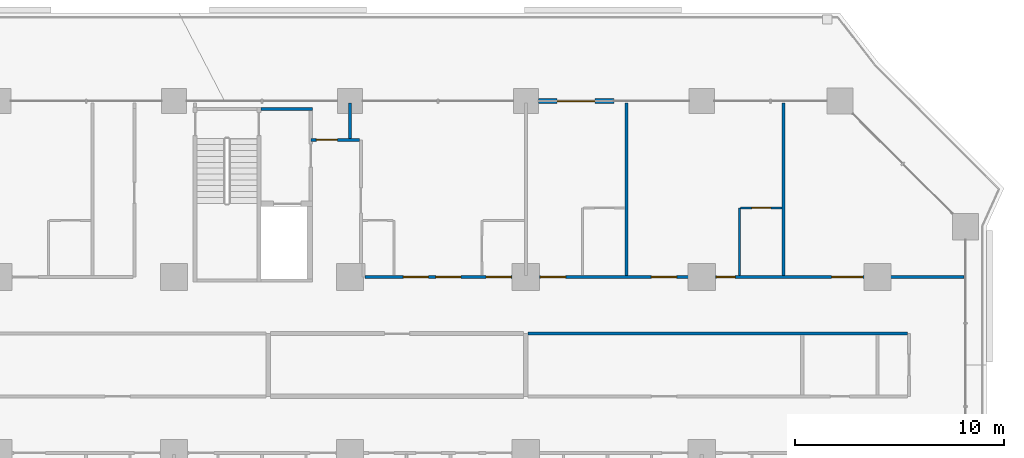
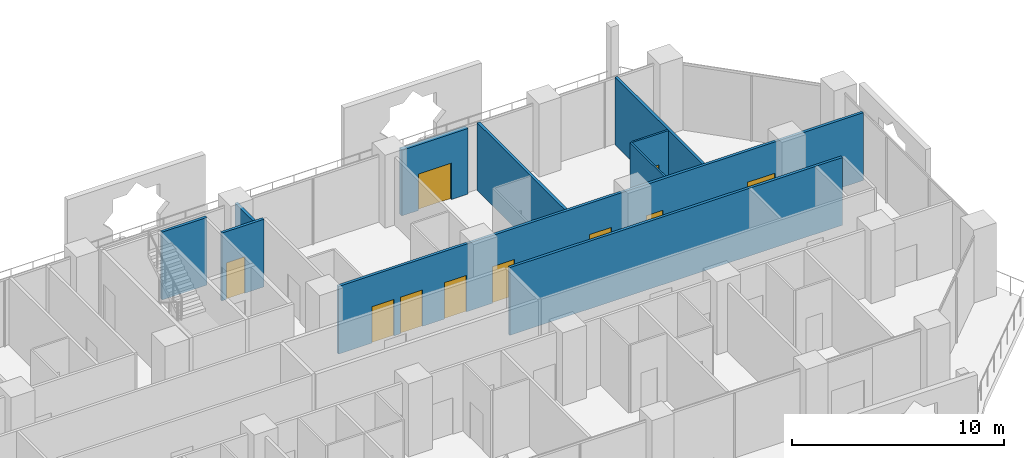
# One storey, part 19 of 26: 10 doors, 10 walls, 10 openings.
"""IFC4 building model written with IfcOpenShell, lengths in metres."""

from ifc_helpers import new_model, si_unit, direction, frame, frame_2d, origin, place, context, subcontext, project, spatial, rectangle, extrude, material, layer, layer_set, type_object, element, fill, save


model = new_model("IFC4")

# Units and contexts
model_context = context("Model", 3, precision=1e-05, world=origin(), true_north=direction((0.0, 1.0)))
body_context = subcontext(model_context, "Body", "Model", "MODEL_VIEW")
ifc_project = project(units=[si_unit("LENGTHUNIT", "METRE"), si_unit("AREAUNIT", "SQUARE_METRE"), si_unit("VOLUMEUNIT", "CUBIC_METRE"), si_unit("PLANEANGLEUNIT", "RADIAN"), si_unit("MASSUNIT", "GRAM", prefix="KILO")], contexts=[model_context])

# Site, building, storey
site_placement = place(None, origin())
site = spatial("IfcSite", under=ifc_project, at=site_placement, CompositionType="ELEMENT")
building_placement = place(site_placement, origin())
building = spatial("IfcBuilding", under=site, at=building_placement, Name="Kawkab Arch Medical Tower", CompositionType="ELEMENT")
storey_placement = place(building_placement, frame((0.0, 0.0, 51.800048828125)))
storey = spatial("IfcBuildingStorey", under=building, at=storey_placement, Name="L11", CompositionType="ELEMENT", Elevation=51.800048828125)

# Wall, opening, door
ifc_material_1 = material(Name="Bronze clad insulated wall panel")
ifc_layer_1 = layer(ifc_material_1, 0.25)
ifc_layer_set_1 = layer_set([ifc_layer_1], Name="Bronze clad insulated wall panel")
wall_type_1 = type_object("IfcWallType", Name="External wall bay 250", PredefinedType="SOLIDWALL", material=ifc_layer_set_1)
wall_1_placement = place(storey_placement, frame((63.0, 0.0, 0.0), z_axis=(0.0, 0.0, 1.0), x_axis=(-1.0, 0.0, 0.0)))
wall_1 = element("IfcWall", 1, at=wall_1_placement, inside=storey, type_object=wall_type_1, Name="External wall bay L11.R11.2.2", PredefinedType="SOLIDWALL", context=body_context, shape_type="SweptSolid", body=[
    extrude(rectangle(XDim=3.60009765625, YDim=0.25, at=frame_2d((1.800048828125, 0.0))), origin(), (0.0, 0.0, 1.0), 3.780029296875),
])
opening_1_placement = place(wall_1_placement, frame((0.89990234375, 0.0, 0.0)))
opening_1 = element("IfcOpeningElement", 2, at=opening_1_placement, cuts=wall_1, Name="Opening W11-701", PredefinedType="OPENING", context=body_context, shape_type="SweptSolid", body=[
    extrude(rectangle(XDim=1.800048828125, YDim=2.10009765625, at=frame_2d((0.89990234375, 1.050048828125))), frame((0.0, 0.135009765625, 0.0), z_axis=(0.0, -1.0, 0.0), x_axis=(1.0, 0.0, 0.0)), (0.0, 0.0, 1.0), 0.27001953125),
])
ifc_material_2 = material(Name="Bronze anodised aluminium door with tinted glass", Category="aluminium")
door_type_1 = type_object("IfcDoorType", Name="Double external door 1800 x 2100", OperationType="DOUBLE_DOOR_SINGLE_SWING", PredefinedType="DOOR", material=ifc_material_2)
door_1_placement = place(opening_1_placement, origin())
door_1 = element("IfcDoor", 3, at=door_1_placement, inside=storey, type_object=door_type_1, Name="External door L11.R11.2.2", OperationType="DOUBLE_DOOR_SINGLE_SWING", OverallHeight=2.10009765625, OverallWidth=1.800048828125, PredefinedType="DOOR", context=body_context, shape_type="SweptSolid", body=[
    extrude(rectangle(XDim=1.800048828125, YDim=2.10009765625, at=frame_2d((0.89990234375, 1.050048828125))), frame((0.0, 0.02490234375, 0.0), z_axis=(0.0, -1.0, 0.0), x_axis=(1.0, 0.0, 0.0)), (0.0, 0.0, 1.0), 0.050048828125),
])
fill(opening_1, door_1)

ifc_material_3 = material(Name="Gypsum board partition on steel studs", Category="steel")
ifc_layer_2 = layer(ifc_material_3, 0.10009765625)
ifc_layer_set_2 = layer_set([ifc_layer_2], Name="Gypsum board partition on steel studs")
wall_type_2 = type_object("IfcWallType", Name="Partition 100", PredefinedType="PARTITIONING", material=ifc_layer_set_2)
wall_2_placement = place(storey_placement, frame((69.052001953125, -5.10009765625, 0.0), z_axis=(0.0, 0.0, 1.0), x_axis=(1.0, 0.0, 0.0)))
wall_2 = element("IfcWall", 4, at=wall_2_placement, inside=storey, type_object=wall_type_2, Name="Partition 100 w020", PredefinedType="PARTITIONING", context=body_context, shape_type="SweptSolid", body=[
    extrude(rectangle(XDim=1.972900390625, YDim=0.10009765625, at=frame_2d((0.986328125, 0.0))), origin(), (0.0, 0.0, 1.0), 3.89990234375),
])
opening_2_placement = place(wall_2_placement, frame((0.549072265625, 0.0, 0.0)))
opening_2 = element("IfcOpeningElement", 5, at=opening_2_placement, cuts=wall_2, Name="Opening W11-009", PredefinedType="OPENING", context=body_context, shape_type="SweptSolid", body=[
    extrude(rectangle(XDim=0.89990234375, YDim=2.10009765625, at=frame_2d((0.449951171875, 1.050048828125))), frame((0.0, 0.06005859375, 0.0), z_axis=(0.0, -1.0, 0.0), x_axis=(1.0, 0.0, 0.0)), (0.0, 0.0, 1.0), 0.1201171875),
])
ifc_material_4 = material(Name="Timber door leaf", Category="wood")
door_type_2 = type_object("IfcDoorType", Name="Single door 900x2100", OperationType="NOTDEFINED", PredefinedType="DOOR", material=ifc_material_4)
door_2_placement = place(opening_2_placement, origin())
door_2 = element("IfcDoor", 6, at=door_2_placement, inside=storey, type_object=door_type_2, Name="Door W11-009", OperationType="SINGLE_SWING_RIGHT", OverallHeight=2.10009765625, OverallWidth=0.89990234375, PredefinedType="DOOR", context=body_context, shape_type="SweptSolid", body=[
    extrude(rectangle(XDim=0.89990234375, YDim=2.10009765625, at=frame_2d((0.449951171875, 1.050048828125))), frame((0.0, 0.02490234375, 0.0), z_axis=(0.0, -1.0, 0.0), x_axis=(1.0, 0.0, 0.0)), (0.0, 0.0, 1.0), 0.050048828125),
])
fill(opening_2, door_2)

# Walls
wall_3_placement = place(storey_placement, frame((69.0, -8.324951171875, 0.0), z_axis=(0.0, 0.0, 1.0), x_axis=(0.0, 1.0, 0.0)))
element("IfcWall", 7, at=wall_3_placement, inside=storey, type_object=wall_type_2, Name="Partition 100 w037", PredefinedType="PARTITIONING", context=body_context, shape_type="SweptSolid", body=[
    extrude(rectangle(XDim=3.223876953125, YDim=0.10009765625, at=frame_2d((1.61181640625, 0.0))), origin(), (0.0, 0.0, 1.0), 3.89990234375),
])
ifc_material_5 = material(Name="Gypsum board partition on steel studs, mineral wool", Category="steel")
ifc_layer_3 = layer(ifc_material_5, 0.14990234375)
ifc_layer_set_3 = layer_set([ifc_layer_3], Name="Gypsum board partition on steel studs, mineral wool")
wall_type_3 = type_object("IfcWallType", Name="Partition 150", PredefinedType="PARTITIONING", material=ifc_layer_set_3)
wall_4_placement = place(storey_placement, frame((58.89990234375, -11.10009765625, 0.0), z_axis=(0.0, 0.0, 1.0), x_axis=(1.0, 0.0, 0.0)))
element("IfcWall", 8, at=wall_4_placement, inside=storey, type_object=wall_type_3, Name="Partition 150 w066", PredefinedType="PARTITIONING", context=body_context, shape_type="SweptSolid", body=[
    extrude(rectangle(XDim=18.125, YDim=0.14990234375, at=frame_2d((9.0625, 0.0))), origin(), (0.0, 0.0, 1.0), 3.89990234375),
])

# Wall, openings, doors
wall_5_placement = place(storey_placement, frame((51.125, -8.39990234375, 0.0), z_axis=(0.0, 0.0, 1.0), x_axis=(1.0, 0.0, 0.0)))
wall_5 = element("IfcWall", 9, at=wall_5_placement, inside=storey, type_object=wall_type_3, Name="Partition 150 w069", PredefinedType="PARTITIONING", context=body_context, shape_type="SweptSolid", body=[
    extrude(rectangle(XDim=28.594970703125, YDim=0.14990234375, at=frame_2d((14.29736328125, 0.0))), origin(), (0.0, 0.0, 1.0), 3.89990234375),
])
opening_3_placement = place(wall_5_placement, frame((1.824951171875, 0.0, 0.0)))
opening_3 = element("IfcOpeningElement", 10, at=opening_3_placement, cuts=wall_5, Name="Opening W11-044", PredefinedType="OPENING", context=body_context, shape_type="SweptSolid", body=[
    extrude(rectangle(XDim=1.199951171875, YDim=2.10009765625, at=frame_2d((0.60009765625, 1.050048828125))), frame((0.0, 0.0849609375, 0.0), z_axis=(0.0, -1.0, 0.0), x_axis=(1.0, 0.0, 0.0)), (0.0, 0.0, 1.0), 0.169921875),
])
opening_4_placement = place(wall_5_placement, frame((3.375, 0.0, 0.0)))
opening_4 = element("IfcOpeningElement", 11, at=opening_4_placement, cuts=wall_5, Name="Opening W11-045", PredefinedType="OPENING", context=body_context, shape_type="SweptSolid", body=[
    extrude(rectangle(XDim=1.199951171875, YDim=2.10009765625, at=frame_2d((0.60009765625, 1.050048828125))), frame((0.0, 0.0849609375, 0.0), z_axis=(0.0, -1.0, 0.0), x_axis=(1.0, 0.0, 0.0)), (0.0, 0.0, 1.0), 0.169921875),
])
opening_5_placement = place(wall_5_placement, frame((5.77490234375, 0.0, 0.0)))
opening_5 = element("IfcOpeningElement", 12, at=opening_5_placement, cuts=wall_5, Name="Opening W11-047", PredefinedType="OPENING", context=body_context, shape_type="SweptSolid", body=[
    extrude(rectangle(XDim=1.199951171875, YDim=2.10009765625, at=frame_2d((0.60009765625, 1.050048828125))), frame((0.0, 0.0849609375, 0.0), z_axis=(0.0, -1.0, 0.0), x_axis=(1.0, 0.0, 0.0)), (0.0, 0.0, 1.0), 0.169921875),
])
opening_6_placement = place(wall_5_placement, frame((8.375, 0.0, 0.0)))
opening_6 = element("IfcOpeningElement", 13, at=opening_6_placement, cuts=wall_5, Name="Opening W11-049", PredefinedType="OPENING", context=body_context, shape_type="SweptSolid", body=[
    extrude(rectangle(XDim=1.199951171875, YDim=2.10009765625, at=frame_2d((0.60009765625, 1.050048828125))), frame((0.0, 0.0849609375, 0.0), z_axis=(0.0, -1.0, 0.0), x_axis=(1.0, 0.0, 0.0)), (0.0, 0.0, 1.0), 0.169921875),
])
opening_7_placement = place(wall_5_placement, frame((13.675048828125, 0.0, 0.0)))
opening_7 = element("IfcOpeningElement", 14, at=opening_7_placement, cuts=wall_5, Name="Opening W11-050", PredefinedType="OPENING", context=body_context, shape_type="SweptSolid", body=[
    extrude(rectangle(XDim=1.199951171875, YDim=2.10009765625, at=frame_2d((0.60009765625, 1.050048828125))), frame((0.0, 0.0849609375, 0.0), z_axis=(0.0, -1.0, 0.0), x_axis=(1.0, 0.0, 0.0)), (0.0, 0.0, 1.0), 0.169921875),
])
opening_8_placement = place(wall_5_placement, frame((16.77490234375, 0.0, 0.0)))
opening_8 = element("IfcOpeningElement", 15, at=opening_8_placement, cuts=wall_5, Name="Opening W11-026", PredefinedType="OPENING", context=body_context, shape_type="SweptSolid", body=[
    extrude(rectangle(XDim=0.89990234375, YDim=2.10009765625, at=frame_2d((0.449951171875, 1.050048828125))), frame((0.0, 0.0849609375, 0.0), z_axis=(0.0, -1.0, 0.0), x_axis=(1.0, 0.0, 0.0)), (0.0, 0.0, 1.0), 0.169921875),
])
opening_9_placement = place(wall_5_placement, frame((22.27490234375, 0.0, 0.0)))
opening_9 = element("IfcOpeningElement", 16, at=opening_9_placement, cuts=wall_5, Name="Opening W11-002", PredefinedType="OPENING", context=body_context, shape_type="SweptSolid", body=[
    extrude(rectangle(XDim=1.5, YDim=2.10009765625, at=frame_2d((0.75, 1.050048828125))), frame((0.0, 0.0849609375, 0.0), z_axis=(0.0, -1.0, 0.0), x_axis=(1.0, 0.0, 0.0)), (0.0, 0.0, 1.0), 0.169921875),
])
ifc_material_6 = material(Name="Hollow metal door leaf")
door_type_3 = type_object("IfcDoorType", Name="Double door 1500x2100 FD30S", OperationType="NOTDEFINED", PredefinedType="DOOR", material=ifc_material_6)
door_3_placement = place(opening_9_placement, origin())
door_3 = element("IfcDoor", 17, at=door_3_placement, inside=storey, type_object=door_type_3, Name="Door W11-002", OperationType="DOUBLE_DOOR_SINGLE_SWING", OverallHeight=2.10009765625, OverallWidth=1.5, PredefinedType="DOOR", context=body_context, shape_type="SweptSolid", body=[
    extrude(rectangle(XDim=1.5, YDim=2.10009765625, at=frame_2d((0.75, 1.050048828125))), frame((0.0, 0.02490234375, 0.0), z_axis=(0.0, -1.0, 0.0), x_axis=(1.0, 0.0, 0.0)), (0.0, 0.0, 1.0), 0.050048828125),
])
fill(opening_9, door_3)
ifc_material_7 = material(Name="Hollow metal door leaf")
door_type_4 = type_object("IfcDoorType", Name="Single door 1200x2100 FD30S", OperationType="NOTDEFINED", PredefinedType="DOOR", material=ifc_material_7)
door_4_placement = place(opening_3_placement, origin())
door_4 = element("IfcDoor", 18, at=door_4_placement, inside=storey, type_object=door_type_4, Name="Door W11-044", OperationType="SINGLE_SWING_LEFT", OverallHeight=2.10009765625, OverallWidth=1.199951171875, PredefinedType="DOOR", context=body_context, shape_type="SweptSolid", body=[
    extrude(rectangle(XDim=1.199951171875, YDim=2.10009765625, at=frame_2d((0.60009765625, 1.050048828125))), frame((0.0, 0.02490234375, 0.0), z_axis=(0.0, -1.0, 0.0), x_axis=(1.0, 0.0, 0.0)), (0.0, 0.0, 1.0), 0.050048828125),
])
fill(opening_3, door_4)
door_5_placement = place(opening_4_placement, origin())
door_5 = element("IfcDoor", 19, at=door_5_placement, inside=storey, type_object=door_type_4, Name="Door W11-045", OperationType="SINGLE_SWING_LEFT", OverallHeight=2.10009765625, OverallWidth=1.199951171875, PredefinedType="DOOR", context=body_context, shape_type="SweptSolid", body=[
    extrude(rectangle(XDim=1.199951171875, YDim=2.10009765625, at=frame_2d((0.60009765625, 1.050048828125))), frame((0.0, 0.02490234375, 0.0), z_axis=(0.0, -1.0, 0.0), x_axis=(1.0, 0.0, 0.0)), (0.0, 0.0, 1.0), 0.050048828125),
])
fill(opening_4, door_5)
door_6_placement = place(opening_5_placement, origin())
door_6 = element("IfcDoor", 20, at=door_6_placement, inside=storey, type_object=door_type_4, Name="Door W11-047", OperationType="SINGLE_SWING_LEFT", OverallHeight=2.10009765625, OverallWidth=1.199951171875, PredefinedType="DOOR", context=body_context, shape_type="SweptSolid", body=[
    extrude(rectangle(XDim=1.199951171875, YDim=2.10009765625, at=frame_2d((0.60009765625, 1.050048828125))), frame((0.0, 0.02490234375, 0.0), z_axis=(0.0, -1.0, 0.0), x_axis=(1.0, 0.0, 0.0)), (0.0, 0.0, 1.0), 0.050048828125),
])
fill(opening_5, door_6)
door_7_placement = place(opening_6_placement, origin())
door_7 = element("IfcDoor", 21, at=door_7_placement, inside=storey, type_object=door_type_4, Name="Door W11-049", OperationType="SINGLE_SWING_LEFT", OverallHeight=2.10009765625, OverallWidth=1.199951171875, PredefinedType="DOOR", context=body_context, shape_type="SweptSolid", body=[
    extrude(rectangle(XDim=1.199951171875, YDim=2.10009765625, at=frame_2d((0.60009765625, 1.050048828125))), frame((0.0, 0.02490234375, 0.0), z_axis=(0.0, -1.0, 0.0), x_axis=(1.0, 0.0, 0.0)), (0.0, 0.0, 1.0), 0.050048828125),
])
fill(opening_6, door_7)
door_8_placement = place(opening_7_placement, origin())
door_8 = element("IfcDoor", 22, at=door_8_placement, inside=storey, type_object=door_type_4, Name="Door W11-050", OperationType="SINGLE_SWING_RIGHT", OverallHeight=2.10009765625, OverallWidth=1.199951171875, PredefinedType="DOOR", context=body_context, shape_type="SweptSolid", body=[
    extrude(rectangle(XDim=1.199951171875, YDim=2.10009765625, at=frame_2d((0.60009765625, 1.050048828125))), frame((0.0, 0.02490234375, 0.0), z_axis=(0.0, -1.0, 0.0), x_axis=(1.0, 0.0, 0.0)), (0.0, 0.0, 1.0), 0.050048828125),
])
fill(opening_7, door_8)
ifc_material_8 = material(Name="Hollow metal door leaf")
door_type_5 = type_object("IfcDoorType", Name="Single door 900x2100 FD30S", OperationType="NOTDEFINED", PredefinedType="DOOR", material=ifc_material_8)
door_9_placement = place(opening_8_placement, origin())
door_9 = element("IfcDoor", 23, at=door_9_placement, inside=storey, type_object=door_type_5, Name="Door W11-026", OperationType="SINGLE_SWING_RIGHT", OverallHeight=2.10009765625, OverallWidth=0.89990234375, PredefinedType="DOOR", context=body_context, shape_type="SweptSolid", body=[
    extrude(rectangle(XDim=0.89990234375, YDim=2.10009765625, at=frame_2d((0.449951171875, 1.050048828125))), frame((0.0, 0.02490234375, 0.0), z_axis=(0.0, -1.0, 0.0), x_axis=(1.0, 0.0, 0.0)), (0.0, 0.0, 1.0), 0.050048828125),
])
fill(opening_8, door_9)

# Wall, opening, door
wall_6_placement = place(storey_placement, frame((48.550048828125, -1.85009765625, 0.0), z_axis=(0.0, 0.0, 1.0), x_axis=(1.0, 0.0, 0.0)))
wall_6 = element("IfcWall", 24, at=wall_6_placement, inside=storey, type_object=wall_type_3, Name="Partition 150 w070", PredefinedType="PARTITIONING", context=body_context, shape_type="SweptSolid", body=[
    extrude(rectangle(XDim=2.300048828125, YDim=0.14990234375, at=frame_2d((1.14990234375, 0.0))), origin(), (0.0, 0.0, 1.0), 3.89990234375),
])
opening_10_placement = place(wall_6_placement, frame((0.25, 0.0, 0.0)))
opening_10 = element("IfcOpeningElement", 25, at=opening_10_placement, cuts=wall_6, Name="Opening W11-031", PredefinedType="OPENING", context=body_context, shape_type="SweptSolid", body=[
    extrude(rectangle(XDim=1.0, YDim=2.10009765625, at=frame_2d((0.5, 1.050048828125))), frame((0.0, 0.0849609375, 0.0), z_axis=(0.0, -1.0, 0.0), x_axis=(1.0, 0.0, 0.0)), (0.0, 0.0, 1.0), 0.169921875),
])
ifc_material_9 = material(Name="Hollow metal door leaf")
door_type_6 = type_object("IfcDoorType", Name="Single door 1000x2100 FD30S", OperationType="NOTDEFINED", PredefinedType="DOOR", material=ifc_material_9)
door_10_placement = place(opening_10_placement, origin())
door_10 = element("IfcDoor", 26, at=door_10_placement, inside=storey, type_object=door_type_6, Name="Door W11-031", OperationType="SINGLE_SWING_LEFT", OverallHeight=2.10009765625, OverallWidth=1.0, PredefinedType="DOOR", context=body_context, shape_type="SweptSolid", body=[
    extrude(rectangle(XDim=1.0, YDim=2.10009765625, at=frame_2d((0.5, 1.050048828125))), frame((0.0, 0.02490234375, 0.0), z_axis=(0.0, -1.0, 0.0), x_axis=(1.0, 0.0, 0.0)), (0.0, 0.0, 1.0), 0.050048828125),
])
fill(opening_10, door_10)

# Walls
wall_7_placement = place(storey_placement, frame((50.39990234375, -1.77490234375, 0.0), z_axis=(0.0, 0.0, 1.0), x_axis=(0.0, 1.0, 0.0)))
element("IfcWall", 27, at=wall_7_placement, inside=storey, type_object=wall_type_3, Name="Partition 150 w091", PredefinedType="PARTITIONING", context=body_context, shape_type="SweptSolid", body=[
    extrude(rectangle(XDim=1.69482421875, YDim=0.14990234375, at=frame_2d((0.847412109375, 0.0))), origin(), (0.0, 0.0, 1.0), 3.89990234375),
])
for number, where, z_axis, x_axis, name in (
    (28, (63.60009765625, -8.324951171875, 0.0), (0.0, 0.0, 1.0), (0.0, 1.0, 0.0), "Partition 150 w097"),
    (29, (71.10009765625, -8.324951171875, 0.0), (0.0, 0.0, 1.0), (0.0, 1.0, 0.0), "Partition 150 w099"),
):
    element("IfcWall", number, at=place(storey_placement, frame(where, z_axis=z_axis, x_axis=x_axis)), inside=storey, type_object=wall_type_3, Name=name, PredefinedType="PARTITIONING", context=body_context, shape_type="SweptSolid", body=[
        extrude(rectangle(XDim=8.244873046875, YDim=0.14990234375, at=frame_2d((4.12255859375, 0.0))), origin(), (0.0, 0.0, 1.0), 3.89990234375),
    ])
ifc_material_10 = material(Name="Concrete C50/60", Category="concrete")
ifc_layer_4 = layer(ifc_material_10, 0.14990234375)
ifc_layer_set_4 = layer_set([ifc_layer_4], Name="Concrete C50/60")
wall_type_4 = type_object("IfcWallType", Name="Stair enclosure wall 150 C50/60", PredefinedType="SHEAR", material=ifc_layer_set_4)
wall_8_placement = place(storey_placement, frame((46.14990234375, -0.375, 0.0), z_axis=(0.0, 0.0, 1.0), x_axis=(1.0, 0.0, 0.0)))
element("IfcWall", 30, at=wall_8_placement, inside=storey, type_object=wall_type_4, Name="L11 stair enclosure wall", PredefinedType="SHEAR", context=body_context, shape_type="SweptSolid", body=[
    extrude(rectangle(XDim=2.4501953125, YDim=0.14990234375, at=frame_2d((1.22509765625, 0.0))), origin(), (0.0, 0.0, 1.0), 3.89990234375),
])

save(model, "model.ifc")
